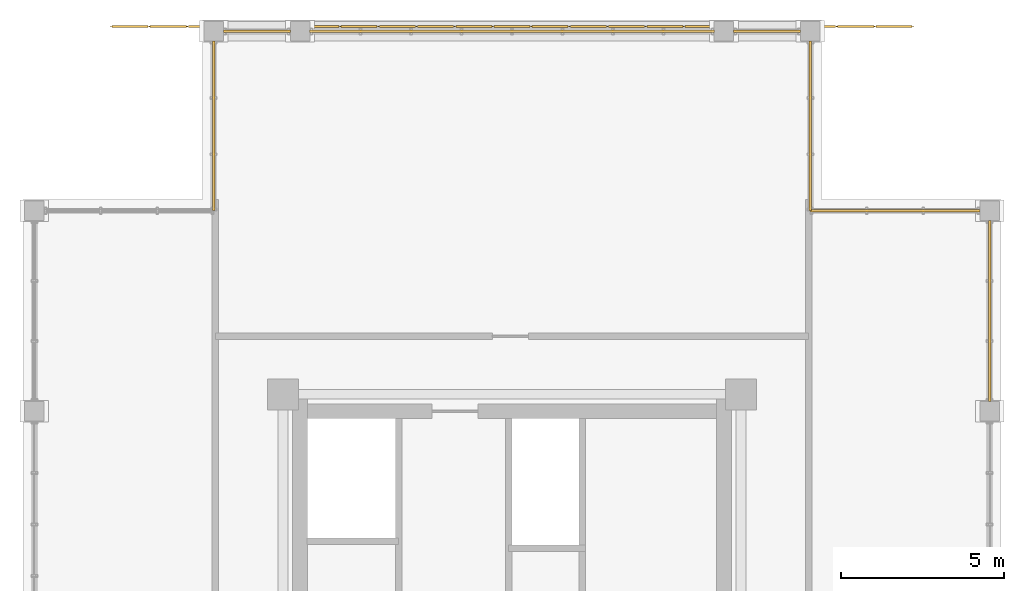
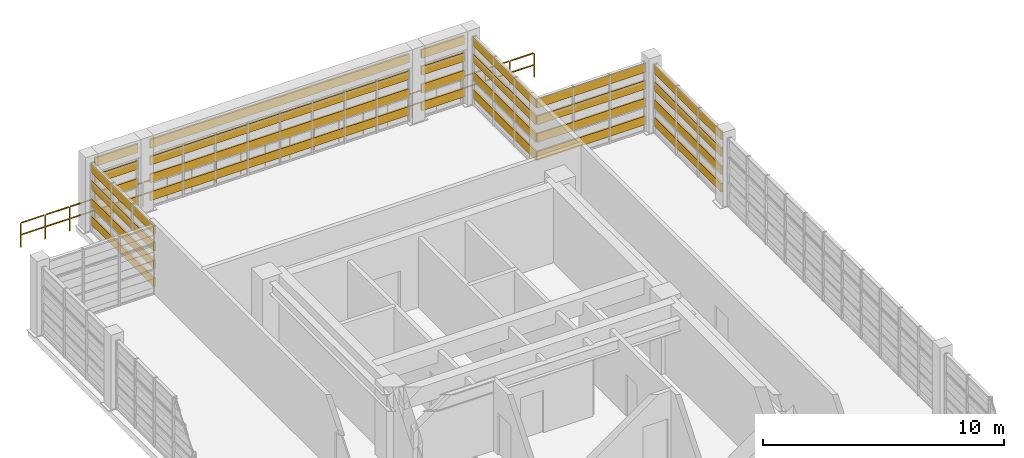
# One storey, part 24 of 24: 28 shading devices, 1 railing.
"""IFC4 building model written with IfcOpenShell, lengths in metres."""

from ifc_helpers import new_model, si_unit, direction, frame, origin, origin_2d, place, context, subcontext, project, spatial, rectangle, extrude, source, transform, mapped, material, material_profile, profile_set, type_object, element, save


model = new_model("IFC4")

# Units and contexts
model_context = context("Model", 3, precision=1e-05, world=origin(), true_north=direction((0.0, 1.0)))
body_context = subcontext(model_context, "Body", "Model", "MODEL_VIEW")
ifc_project = project(units=[si_unit("LENGTHUNIT", "METRE"), si_unit("AREAUNIT", "SQUARE_METRE"), si_unit("VOLUMEUNIT", "CUBIC_METRE"), si_unit("PLANEANGLEUNIT", "RADIAN"), si_unit("MASSUNIT", "GRAM", prefix="KILO")], contexts=[model_context])

# Site, building, storey
site_placement = place(None, origin())
site = spatial("IfcSite", under=ifc_project, at=site_placement, CompositionType="ELEMENT")
building_placement = place(site_placement, origin())
building = spatial("IfcBuilding", under=site, at=building_placement, Name="Saelheon Loggia Tower", CompositionType="ELEMENT")
storey_placement = place(building_placement, frame((0.0, 0.0, 252.199951171875)))
storey = spatial("IfcBuildingStorey", under=building, at=storey_placement, Name="CR1", CompositionType="ELEMENT", Elevation=252.199951171875)

# Railing
ifc_material_1 = material(Name="Stainless Steel 316L Post and Laminated Glass Guardrail", Category="steel")
railing_type = type_object("IfcRailingType", Name="Guard_Terrace_1250", PredefinedType="GUARDRAIL", material=ifc_material_1)
railing_placement = place(storey_placement, frame((25.699951171875, 47.800048828125, 0.0)))
element("IfcRailing", 1, at=railing_placement, inside=storey, type_object=railing_type, Name="CR1 Crown Deck North Guardrail", PredefinedType="GUARDRAIL", context=body_context, shape_type="SweptSolid", body=[
    extrude(rectangle(XDim=0.048095703125, YDim=0.048095703125, at=origin_2d()), frame((0.033203125, 0.0, 1.22607421875), z_axis=(1.0, 0.0, 0.0), x_axis=(0.0, 1.0, 0.0)), (0.0, 0.0, 1.0), 1.10498046875),
    extrude(rectangle(XDim=0.048095703125, YDim=0.048095703125, at=origin_2d()), frame((0.033203125, 0.0, 0.625), z_axis=(1.0, 0.0, 0.0), x_axis=(0.0, 1.0, 0.0)), (0.0, 0.0, 1.0), 1.10498046875),
    extrude(rectangle(XDim=0.048095703125, YDim=0.048095703125, at=origin_2d()), frame((1.20458984375, 0.0, 1.22607421875), z_axis=(1.0, 0.0, 0.0), x_axis=(0.0, 1.0, 0.0)), (0.0, 0.0, 1.0), 1.10498046875),
    extrude(rectangle(XDim=0.048095703125, YDim=0.048095703125, at=origin_2d()), frame((1.20458984375, 0.0, 0.625), z_axis=(1.0, 0.0, 0.0), x_axis=(0.0, 1.0, 0.0)), (0.0, 0.0, 1.0), 1.10498046875),
    extrude(rectangle(XDim=0.048095703125, YDim=0.048095703125, at=origin_2d()), frame((2.376220703125, 0.0, 1.22607421875), z_axis=(1.0, 0.0, 0.0), x_axis=(0.0, 1.0, 0.0)), (0.0, 0.0, 1.0), 1.10498046875),
    extrude(rectangle(XDim=0.048095703125, YDim=0.048095703125, at=origin_2d()), frame((2.376220703125, 0.0, 0.625), z_axis=(1.0, 0.0, 0.0), x_axis=(0.0, 1.0, 0.0)), (0.0, 0.0, 1.0), 1.10498046875),
    extrude(rectangle(XDim=0.048095703125, YDim=0.048095703125, at=origin_2d()), frame((3.547607421875, 0.0, 1.22607421875), z_axis=(1.0, 0.0, 0.0), x_axis=(0.0, 1.0, 0.0)), (0.0, 0.0, 1.0), 1.10498046875),
    extrude(rectangle(XDim=0.048095703125, YDim=0.048095703125, at=origin_2d()), frame((3.547607421875, 0.0, 0.625), z_axis=(1.0, 0.0, 0.0), x_axis=(0.0, 1.0, 0.0)), (0.0, 0.0, 1.0), 1.10498046875),
    extrude(rectangle(XDim=0.048095703125, YDim=0.048095703125, at=origin_2d()), frame((4.718994140625, 0.0, 1.22607421875), z_axis=(1.0, 0.0, 0.0), x_axis=(0.0, 1.0, 0.0)), (0.0, 0.0, 1.0), 1.10498046875),
    extrude(rectangle(XDim=0.048095703125, YDim=0.048095703125, at=origin_2d()), frame((4.718994140625, 0.0, 0.625), z_axis=(1.0, 0.0, 0.0), x_axis=(0.0, 1.0, 0.0)), (0.0, 0.0, 1.0), 1.10498046875),
    extrude(rectangle(XDim=0.048095703125, YDim=0.048095703125, at=origin_2d()), frame((5.890380859375, 0.0, 1.22607421875), z_axis=(1.0, 0.0, 0.0), x_axis=(0.0, 1.0, 0.0)), (0.0, 0.0, 1.0), 1.10498046875),
    extrude(rectangle(XDim=0.048095703125, YDim=0.048095703125, at=origin_2d()), frame((5.890380859375, 0.0, 0.625), z_axis=(1.0, 0.0, 0.0), x_axis=(0.0, 1.0, 0.0)), (0.0, 0.0, 1.0), 1.10498046875),
    extrude(rectangle(XDim=0.048095703125, YDim=0.048095703125, at=origin_2d()), frame((7.061767578125, 0.0, 1.22607421875), z_axis=(1.0, 0.0, 0.0), x_axis=(0.0, 1.0, 0.0)), (0.0, 0.0, 1.0), 1.10498046875),
    extrude(rectangle(XDim=0.048095703125, YDim=0.048095703125, at=origin_2d()), frame((7.061767578125, 0.0, 0.625), z_axis=(1.0, 0.0, 0.0), x_axis=(0.0, 1.0, 0.0)), (0.0, 0.0, 1.0), 1.10498046875),
    extrude(rectangle(XDim=0.048095703125, YDim=0.048095703125, at=origin_2d()), frame((8.233154296875, 0.0, 1.22607421875), z_axis=(1.0, 0.0, 0.0), x_axis=(0.0, 1.0, 0.0)), (0.0, 0.0, 1.0), 1.10498046875),
    extrude(rectangle(XDim=0.048095703125, YDim=0.048095703125, at=origin_2d()), frame((8.233154296875, 0.0, 0.625), z_axis=(1.0, 0.0, 0.0), x_axis=(0.0, 1.0, 0.0)), (0.0, 0.0, 1.0), 1.10498046875),
    extrude(rectangle(XDim=0.048095703125, YDim=0.048095703125, at=origin_2d()), frame((9.40478515625, 0.0, 1.22607421875), z_axis=(1.0, 0.0, 0.0), x_axis=(0.0, 1.0, 0.0)), (0.0, 0.0, 1.0), 1.10498046875),
    extrude(rectangle(XDim=0.048095703125, YDim=0.048095703125, at=origin_2d()), frame((9.40478515625, 0.0, 0.625), z_axis=(1.0, 0.0, 0.0), x_axis=(0.0, 1.0, 0.0)), (0.0, 0.0, 1.0), 1.10498046875),
    extrude(rectangle(XDim=0.048095703125, YDim=0.048095703125, at=origin_2d()), frame((10.576171875, 0.0, 1.22607421875), z_axis=(1.0, 0.0, 0.0), x_axis=(0.0, 1.0, 0.0)), (0.0, 0.0, 1.0), 1.10498046875),
    extrude(rectangle(XDim=0.048095703125, YDim=0.048095703125, at=origin_2d()), frame((10.576171875, 0.0, 0.625), z_axis=(1.0, 0.0, 0.0), x_axis=(0.0, 1.0, 0.0)), (0.0, 0.0, 1.0), 1.10498046875),
    extrude(rectangle(XDim=0.048095703125, YDim=0.048095703125, at=origin_2d()), frame((11.74755859375, 0.0, 1.22607421875), z_axis=(1.0, 0.0, 0.0), x_axis=(0.0, 1.0, 0.0)), (0.0, 0.0, 1.0), 1.10498046875),
    extrude(rectangle(XDim=0.048095703125, YDim=0.048095703125, at=origin_2d()), frame((11.74755859375, 0.0, 0.625), z_axis=(1.0, 0.0, 0.0), x_axis=(0.0, 1.0, 0.0)), (0.0, 0.0, 1.0), 1.10498046875),
    extrude(rectangle(XDim=0.048095703125, YDim=0.048095703125, at=origin_2d()), frame((12.9189453125, 0.0, 1.22607421875), z_axis=(1.0, 0.0, 0.0), x_axis=(0.0, 1.0, 0.0)), (0.0, 0.0, 1.0), 1.10498046875),
    extrude(rectangle(XDim=0.048095703125, YDim=0.048095703125, at=origin_2d()), frame((12.9189453125, 0.0, 0.625), z_axis=(1.0, 0.0, 0.0), x_axis=(0.0, 1.0, 0.0)), (0.0, 0.0, 1.0), 1.10498046875),
    extrude(rectangle(XDim=0.048095703125, YDim=0.048095703125, at=origin_2d()), frame((14.09033203125, 0.0, 1.22607421875), z_axis=(1.0, 0.0, 0.0), x_axis=(0.0, 1.0, 0.0)), (0.0, 0.0, 1.0), 1.10498046875),
    extrude(rectangle(XDim=0.048095703125, YDim=0.048095703125, at=origin_2d()), frame((14.09033203125, 0.0, 0.625), z_axis=(1.0, 0.0, 0.0), x_axis=(0.0, 1.0, 0.0)), (0.0, 0.0, 1.0), 1.10498046875),
    extrude(rectangle(XDim=0.048095703125, YDim=0.048095703125, at=origin_2d()), frame((15.261962890625, 0.0, 1.22607421875), z_axis=(1.0, 0.0, 0.0), x_axis=(0.0, 1.0, 0.0)), (0.0, 0.0, 1.0), 1.10498046875),
    extrude(rectangle(XDim=0.048095703125, YDim=0.048095703125, at=origin_2d()), frame((15.261962890625, 0.0, 0.625), z_axis=(1.0, 0.0, 0.0), x_axis=(0.0, 1.0, 0.0)), (0.0, 0.0, 1.0), 1.10498046875),
    extrude(rectangle(XDim=0.048095703125, YDim=0.048095703125, at=origin_2d()), frame((16.433349609375, 0.0, 1.22607421875), z_axis=(1.0, 0.0, 0.0), x_axis=(0.0, 1.0, 0.0)), (0.0, 0.0, 1.0), 1.10498046875),
    extrude(rectangle(XDim=0.048095703125, YDim=0.048095703125, at=origin_2d()), frame((16.433349609375, 0.0, 0.625), z_axis=(1.0, 0.0, 0.0), x_axis=(0.0, 1.0, 0.0)), (0.0, 0.0, 1.0), 1.10498046875),
    extrude(rectangle(XDim=0.048095703125, YDim=0.048095703125, at=origin_2d()), frame((17.604736328125, 0.0, 1.22607421875), z_axis=(1.0, 0.0, 0.0), x_axis=(0.0, 1.0, 0.0)), (0.0, 0.0, 1.0), 1.10498046875),
    extrude(rectangle(XDim=0.048095703125, YDim=0.048095703125, at=origin_2d()), frame((17.604736328125, 0.0, 0.625), z_axis=(1.0, 0.0, 0.0), x_axis=(0.0, 1.0, 0.0)), (0.0, 0.0, 1.0), 1.10498046875),
    extrude(rectangle(XDim=0.048095703125, YDim=0.048095703125, at=origin_2d()), frame((18.776123046875, 0.0, 1.22607421875), z_axis=(1.0, 0.0, 0.0), x_axis=(0.0, 1.0, 0.0)), (0.0, 0.0, 1.0), 1.10498046875),
    extrude(rectangle(XDim=0.048095703125, YDim=0.048095703125, at=origin_2d()), frame((18.776123046875, 0.0, 0.625), z_axis=(1.0, 0.0, 0.0), x_axis=(0.0, 1.0, 0.0)), (0.0, 0.0, 1.0), 1.10498046875),
    extrude(rectangle(XDim=0.048095703125, YDim=0.048095703125, at=origin_2d()), frame((19.947509765625, 0.0, 1.22607421875), z_axis=(1.0, 0.0, 0.0), x_axis=(0.0, 1.0, 0.0)), (0.0, 0.0, 1.0), 1.10498046875),
    extrude(rectangle(XDim=0.048095703125, YDim=0.048095703125, at=origin_2d()), frame((19.947509765625, 0.0, 0.625), z_axis=(1.0, 0.0, 0.0), x_axis=(0.0, 1.0, 0.0)), (0.0, 0.0, 1.0), 1.10498046875),
    extrude(rectangle(XDim=0.048095703125, YDim=0.048095703125, at=origin_2d()), frame((21.119140625, 0.0, 1.22607421875), z_axis=(1.0, 0.0, 0.0), x_axis=(0.0, 1.0, 0.0)), (0.0, 0.0, 1.0), 1.10498046875),
    extrude(rectangle(XDim=0.048095703125, YDim=0.048095703125, at=origin_2d()), frame((21.119140625, 0.0, 0.625), z_axis=(1.0, 0.0, 0.0), x_axis=(0.0, 1.0, 0.0)), (0.0, 0.0, 1.0), 1.10498046875),
    extrude(rectangle(XDim=0.048095703125, YDim=0.048095703125, at=origin_2d()), frame((22.29052734375, 0.0, 1.22607421875), z_axis=(1.0, 0.0, 0.0), x_axis=(0.0, 1.0, 0.0)), (0.0, 0.0, 1.0), 1.10498046875),
    extrude(rectangle(XDim=0.048095703125, YDim=0.048095703125, at=origin_2d()), frame((22.29052734375, 0.0, 0.625), z_axis=(1.0, 0.0, 0.0), x_axis=(0.0, 1.0, 0.0)), (0.0, 0.0, 1.0), 1.10498046875),
    extrude(rectangle(XDim=0.048095703125, YDim=0.048095703125, at=origin_2d()), frame((23.4619140625, 0.0, 1.22607421875), z_axis=(1.0, 0.0, 0.0), x_axis=(0.0, 1.0, 0.0)), (0.0, 0.0, 1.0), 1.10498046875),
    extrude(rectangle(XDim=0.048095703125, YDim=0.048095703125, at=origin_2d()), frame((23.4619140625, 0.0, 0.625), z_axis=(1.0, 0.0, 0.0), x_axis=(0.0, 1.0, 0.0)), (0.0, 0.0, 1.0), 1.10498046875),
    extrude(rectangle(XDim=0.0419921875, YDim=0.0419921875, at=origin_2d()), origin(), (0.0, 0.0, 1.0), 1.197998046875),
    extrude(rectangle(XDim=0.0419921875, YDim=0.0419921875, at=origin_2d()), frame((1.17138671875, 0.0, 0.0)), (0.0, 0.0, 1.0), 1.197998046875),
    extrude(rectangle(XDim=0.0419921875, YDim=0.0419921875, at=origin_2d()), frame((2.3427734375, 0.0, 0.0)), (0.0, 0.0, 1.0), 1.197998046875),
    extrude(rectangle(XDim=0.0419921875, YDim=0.0419921875, at=origin_2d()), frame((3.514404296875, 0.0, 0.0)), (0.0, 0.0, 1.0), 1.197998046875),
    extrude(rectangle(XDim=0.0419921875, YDim=0.0419921875, at=origin_2d()), frame((4.685791015625, 0.0, 0.0)), (0.0, 0.0, 1.0), 1.197998046875),
    extrude(rectangle(XDim=0.0419921875, YDim=0.0419921875, at=origin_2d()), frame((5.857177734375, 0.0, 0.0)), (0.0, 0.0, 1.0), 1.197998046875),
    extrude(rectangle(XDim=0.0419921875, YDim=0.0419921875, at=origin_2d()), frame((7.028564453125, 0.0, 0.0)), (0.0, 0.0, 1.0), 1.197998046875),
    extrude(rectangle(XDim=0.0419921875, YDim=0.0419921875, at=origin_2d()), frame((8.199951171875, 0.0, 0.0)), (0.0, 0.0, 1.0), 1.197998046875),
    extrude(rectangle(XDim=0.0419921875, YDim=0.0419921875, at=origin_2d()), frame((9.37158203125, 0.0, 0.0)), (0.0, 0.0, 1.0), 1.197998046875),
    extrude(rectangle(XDim=0.0419921875, YDim=0.0419921875, at=origin_2d()), frame((10.54296875, 0.0, 0.0)), (0.0, 0.0, 1.0), 1.197998046875),
    extrude(rectangle(XDim=0.0419921875, YDim=0.0419921875, at=origin_2d()), frame((11.71435546875, 0.0, 0.0)), (0.0, 0.0, 1.0), 1.197998046875),
    extrude(rectangle(XDim=0.0419921875, YDim=0.0419921875, at=origin_2d()), frame((12.8857421875, 0.0, 0.0)), (0.0, 0.0, 1.0), 1.197998046875),
    extrude(rectangle(XDim=0.0419921875, YDim=0.0419921875, at=origin_2d()), frame((14.05712890625, 0.0, 0.0)), (0.0, 0.0, 1.0), 1.197998046875),
    extrude(rectangle(XDim=0.0419921875, YDim=0.0419921875, at=origin_2d()), frame((15.228515625, 0.0, 0.0)), (0.0, 0.0, 1.0), 1.197998046875),
    extrude(rectangle(XDim=0.0419921875, YDim=0.0419921875, at=origin_2d()), frame((16.400146484375, 0.0, 0.0)), (0.0, 0.0, 1.0), 1.197998046875),
    extrude(rectangle(XDim=0.0419921875, YDim=0.0419921875, at=origin_2d()), frame((17.571533203125, 0.0, 0.0)), (0.0, 0.0, 1.0), 1.197998046875),
    extrude(rectangle(XDim=0.0419921875, YDim=0.0419921875, at=origin_2d()), frame((18.742919921875, 0.0, 0.0)), (0.0, 0.0, 1.0), 1.197998046875),
    extrude(rectangle(XDim=0.0419921875, YDim=0.0419921875, at=origin_2d()), frame((19.914306640625, 0.0, 0.0)), (0.0, 0.0, 1.0), 1.197998046875),
    extrude(rectangle(XDim=0.0419921875, YDim=0.0419921875, at=origin_2d()), frame((21.085693359375, 0.0, 0.0)), (0.0, 0.0, 1.0), 1.197998046875),
    extrude(rectangle(XDim=0.0419921875, YDim=0.0419921875, at=origin_2d()), frame((22.25732421875, 0.0, 0.0)), (0.0, 0.0, 1.0), 1.197998046875),
    extrude(rectangle(XDim=0.0419921875, YDim=0.0419921875, at=origin_2d()), frame((23.4287109375, 0.0, 0.0)), (0.0, 0.0, 1.0), 1.197998046875),
    extrude(rectangle(XDim=0.0419921875, YDim=0.0419921875, at=origin_2d()), frame((24.60009765625, 0.0, 0.0)), (0.0, 0.0, 1.0), 1.197998046875),
])

# Shading devices
ifc_material_2 = material(Name="Bronze-Anodised Aluminium 6063-T6", Category="aluminium")
ifc_material_profile = material_profile(ifc_material_2, rectangle(XDim=0.080078125, YDim=0.43994140625, at=origin_2d()), Name="Louvre_CrownBlade_250")
ifc_profile_set = profile_set([ifc_material_profile], Name="Bronze-Anodised Aluminium 6063-T6")
shading_device_type = type_object("IfcShadingDeviceType", Name="Louvre_CrownBlade_250", PredefinedType="AWNING", material=ifc_profile_set)
shared_shape_1 = source(origin(), body_context, "Body", "SweptSolid", [
    extrude(rectangle(XDim=0.080078125, YDim=0.43994140625, at=origin_2d()), origin(), (0.0, 0.0, 1.0), 2.06005859375),
])
for number, where, z_axis, x_axis, name in (
    (2, (46.85498046875, 47.64990234375, 0.550048828125), (-1.0, 0.0, 0.0), (0.0, -1.0, 0.0), "CR1 Crown Screen Horizontal Blade"),
    (3, (46.85498046875, 47.64990234375, 1.449951171875), (-1.0, 0.0, 0.0), (0.0, -1.0, 0.0), "CR1 Crown Screen Horizontal Blade"),
    (4, (46.85498046875, 47.64990234375, 2.35009765625), (-1.0, 0.0, 0.0), (0.0, -1.0, 0.0), "CR1 Crown Screen Horizontal Blade"),
    (5, (46.85498046875, 47.64990234375, 3.199951171875), (-1.0, 0.0, 0.0), (0.0, -1.0, 0.0), "CR1 Crown Screen Horizontal Blade"),
    (6, (31.205078125, 47.64990234375, 0.550048828125), (-1.0, 0.0, 0.0), (0.0, -1.0, 0.0), "CR1 Crown Screen Horizontal Blade"),
    (7, (31.205078125, 47.64990234375, 1.449951171875), (-1.0, 0.0, 0.0), (0.0, -1.0, 0.0), "CR1 Crown Screen Horizontal Blade"),
    (8, (31.205078125, 47.64990234375, 2.35009765625), (-1.0, 0.0, 0.0), (0.0, -1.0, 0.0), "CR1 Crown Screen Horizontal Blade"),
    (9, (31.205078125, 47.64990234375, 3.199951171875), (-1.0, 0.0, 0.0), (0.0, -1.0, 0.0), "CR1 Crown Screen Horizontal Blade"),
):
    element("IfcShadingDevice", number, at=place(storey_placement, frame(where, z_axis=z_axis, x_axis=x_axis)), inside=storey, type_object=shading_device_type, Name=name, PredefinedType="AWNING", context=body_context, shape_type="MappedRepresentation", body=[
        mapped(shared_shape_1, transform((0.0, 0.0, 0.0), scale=1.0)),
    ])
shared_shape_2 = source(origin(), body_context, "Body", "SweptSolid", [
    extrude(rectangle(XDim=0.080078125, YDim=0.43994140625, at=origin_2d()), origin(), (0.0, 0.0, 1.0), 12.41015625),
])
for number, where, z_axis, x_axis, name in (
    (10, (44.205078125, 47.64990234375, 0.550048828125), (-1.0, 0.0, 0.0), (0.0, -1.0, 0.0), "CR1 Crown Screen Horizontal Blade"),
    (11, (44.205078125, 47.64990234375, 1.449951171875), (-1.0, 0.0, 0.0), (0.0, -1.0, 0.0), "CR1 Crown Screen Horizontal Blade"),
    (12, (44.205078125, 47.64990234375, 2.35009765625), (-1.0, 0.0, 0.0), (0.0, -1.0, 0.0), "CR1 Crown Screen Horizontal Blade"),
    (13, (44.205078125, 47.64990234375, 3.199951171875), (-1.0, 0.0, 0.0), (0.0, -1.0, 0.0), "CR1 Crown Screen Horizontal Blade"),
):
    element("IfcShadingDevice", number, at=place(storey_placement, frame(where, z_axis=z_axis, x_axis=x_axis)), inside=storey, type_object=shading_device_type, Name=name, PredefinedType="AWNING", context=body_context, shape_type="MappedRepresentation", body=[
        mapped(shared_shape_2, transform((0.0, 0.0, 0.0), scale=1.0)),
    ])
shared_shape_3 = source(origin(), body_context, "Body", "SweptSolid", [
    extrude(rectangle(XDim=0.080078125, YDim=0.43994140625, at=origin_2d()), origin(), (0.0, 0.0, 1.0), 5.205078125),
])
for number, where, z_axis, x_axis, name in (
    (14, (52.35498046875, 42.14990234375, 0.550048828125), (-1.0, 0.0, 0.0), (0.0, -1.0, 0.0), "CR1 Crown Screen Horizontal Blade"),
    (15, (52.35498046875, 42.14990234375, 1.449951171875), (-1.0, 0.0, 0.0), (0.0, -1.0, 0.0), "CR1 Crown Screen Horizontal Blade"),
    (16, (52.35498046875, 42.14990234375, 2.35009765625), (-1.0, 0.0, 0.0), (0.0, -1.0, 0.0), "CR1 Crown Screen Horizontal Blade"),
    (17, (52.35498046875, 42.14990234375, 3.199951171875), (-1.0, 0.0, 0.0), (0.0, -1.0, 0.0), "CR1 Crown Screen Horizontal Blade"),
    (18, (47.14990234375, 42.14990234375, 0.550048828125), (0.0, 1.0, 0.0), (-1.0, 0.0, 0.0), "CR1 Crown Screen Horizontal Blade"),
    (19, (47.14990234375, 42.14990234375, 1.449951171875), (0.0, 1.0, 0.0), (-1.0, 0.0, 0.0), "CR1 Crown Screen Horizontal Blade"),
    (20, (47.14990234375, 42.14990234375, 2.35009765625), (0.0, 1.0, 0.0), (-1.0, 0.0, 0.0), "CR1 Crown Screen Horizontal Blade"),
    (21, (47.14990234375, 42.14990234375, 3.199951171875), (0.0, 1.0, 0.0), (-1.0, 0.0, 0.0), "CR1 Crown Screen Horizontal Blade"),
    (22, (28.85009765625, 47.35498046875, 0.550048828125), (0.0, -1.0, 0.0), (1.0, 0.0, 0.0), "CR1 Crown Screen Horizontal Blade"),
    (23, (28.85009765625, 47.35498046875, 1.449951171875), (0.0, -1.0, 0.0), (1.0, 0.0, 0.0), "CR1 Crown Screen Horizontal Blade"),
    (24, (28.85009765625, 47.35498046875, 2.35009765625), (0.0, -1.0, 0.0), (1.0, 0.0, 0.0), "CR1 Crown Screen Horizontal Blade"),
    (25, (28.85009765625, 47.35498046875, 3.199951171875), (0.0, -1.0, 0.0), (1.0, 0.0, 0.0), "CR1 Crown Screen Horizontal Blade"),
):
    element("IfcShadingDevice", number, at=place(storey_placement, frame(where, z_axis=z_axis, x_axis=x_axis)), inside=storey, type_object=shading_device_type, Name=name, PredefinedType="AWNING", context=body_context, shape_type="MappedRepresentation", body=[
        mapped(shared_shape_3, transform((0.0, 0.0, 0.0), scale=1.0)),
    ])
shared_shape_4 = source(origin(), body_context, "Body", "SweptSolid", [
    extrude(rectangle(XDim=0.080078125, YDim=0.43994140625, at=origin_2d()), origin(), (0.0, 0.0, 1.0), 5.56005859375),
])
for number, where, z_axis, x_axis, name in (
    (26, (52.64990234375, 36.294921875, 0.550048828125), (0.0, 1.0, 0.0), (-1.0, 0.0, 0.0), "CR1 Crown Screen Horizontal Blade"),
    (27, (52.64990234375, 36.294921875, 1.449951171875), (0.0, 1.0, 0.0), (-1.0, 0.0, 0.0), "CR1 Crown Screen Horizontal Blade"),
    (28, (52.64990234375, 36.294921875, 2.35009765625), (0.0, 1.0, 0.0), (-1.0, 0.0, 0.0), "CR1 Crown Screen Horizontal Blade"),
    (29, (52.64990234375, 36.294921875, 3.199951171875), (0.0, 1.0, 0.0), (-1.0, 0.0, 0.0), "CR1 Crown Screen Horizontal Blade"),
):
    element("IfcShadingDevice", number, at=place(storey_placement, frame(where, z_axis=z_axis, x_axis=x_axis)), inside=storey, type_object=shading_device_type, Name=name, PredefinedType="AWNING", context=body_context, shape_type="MappedRepresentation", body=[
        mapped(shared_shape_4, transform((0.0, 0.0, 0.0), scale=1.0)),
    ])

save(model, "model.ifc")
